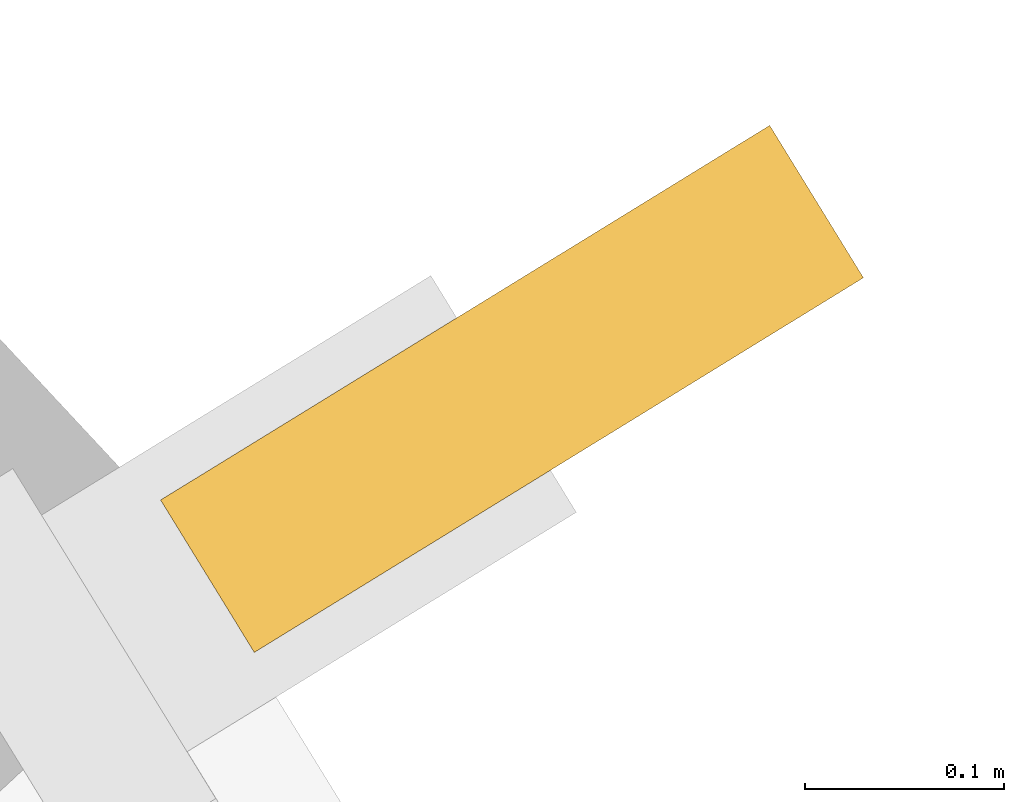
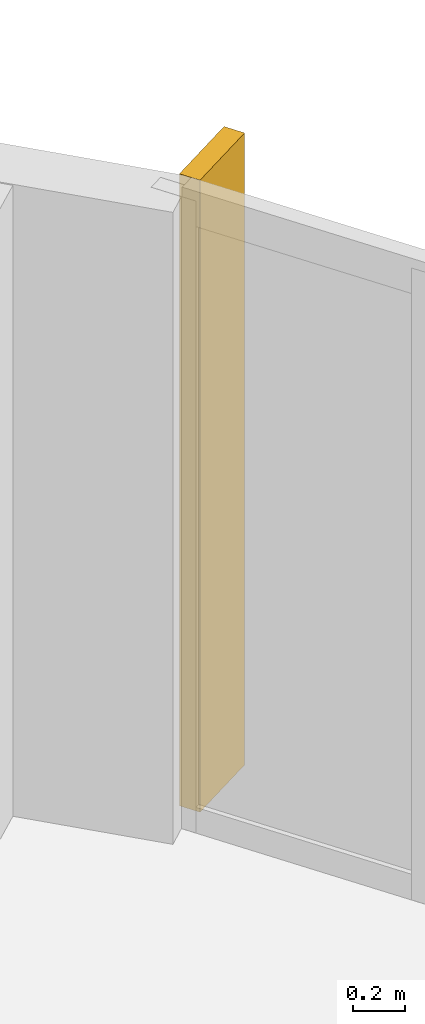
# One storey, part 10 of 10: 1 shading device.
"""IFC4 building model written with IfcOpenShell, lengths in metres."""

from ifc_helpers import new_model, si_unit, direction, frame, origin, origin_2d, place, context, subcontext, project, spatial, rectangle, extrude, material, layer, layer_set, type_object, element, save


model = new_model("IFC4")

# Units and contexts
model_context = context("Model", 3, precision=1e-05, world=origin(), true_north=direction((0.0, 1.0)))
body_context = subcontext(model_context, "Body", "Model", "MODEL_VIEW")
ifc_project = project(units=[si_unit("LENGTHUNIT", "METRE"), si_unit("AREAUNIT", "SQUARE_METRE"), si_unit("VOLUMEUNIT", "CUBIC_METRE"), si_unit("PLANEANGLEUNIT", "RADIAN"), si_unit("MASSUNIT", "GRAM", prefix="KILO")], contexts=[model_context])

# Site, building, storey
site_placement = place(None, origin())
site = spatial("IfcSite", under=ifc_project, at=site_placement, CompositionType="ELEMENT")
building_placement = place(site_placement, origin())
building = spatial("IfcBuilding", under=site, at=building_placement, Name="Veldorim Arch Residences", CompositionType="ELEMENT")
storey_placement = place(building_placement, frame((0.0, 0.0, 198.239990234375)))
storey = spatial("IfcBuildingStorey", under=building, at=storey_placement, Name="L59", CompositionType="ELEMENT", Elevation=198.239990234375)

# Shading device
ifc_material = material(Name="Terracotta Ceramic", Category="masonry")
ifc_layer = layer(ifc_material, 0.090087890625, Name="Vertical Extruded Terracotta Baguette Sun-Shading Fin")
ifc_layer_set = layer_set([ifc_layer], Name="Terracotta Ceramic")
shading_device_type = type_object("IfcShadingDeviceType", Name="Vertical Extruded Terracotta Baguette Sun-Shading Fin", PredefinedType="USERDEFINED", material=ifc_layer_set)
shading_device_placement = place(storey_placement, frame((43.866943359375, 33.875732421875, 0.0), z_axis=(0.0, 0.0, 1.0), x_axis=(0.523837243597, -0.851818373963, 0.0)))
element("IfcShadingDevice", 1, at=shading_device_placement, inside=storey, type_object=shading_device_type, Name="L59 vertical terracotta sun-shading fin 35", ObjectType="FIN", PredefinedType="USERDEFINED", context=body_context, shape_type="SweptSolid", body=[
    extrude(rectangle(XDim=0.090087890625, YDim=0.360107421875, at=origin_2d()), origin(), (0.0, 0.0, 1.0), 2.9599609375),
])

save(model, "model.ifc")
